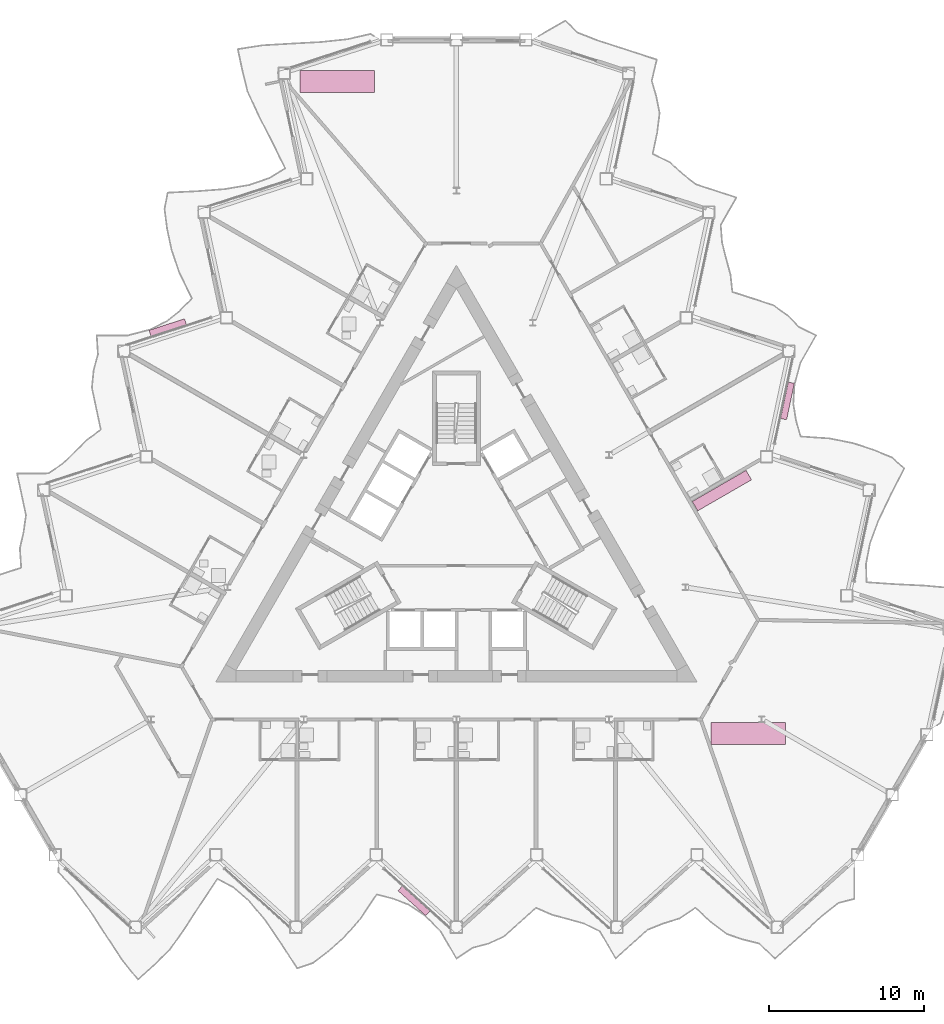
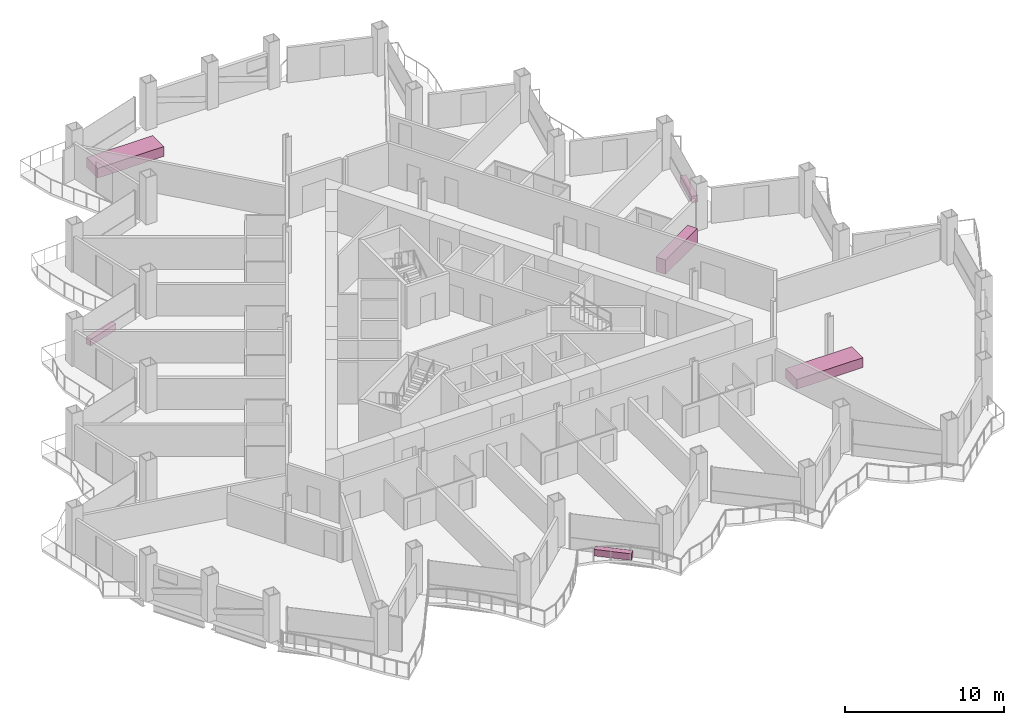
# One storey, part 23 of 23: 6 furniture elements.
"""IFC4 building model written with IfcOpenShell, lengths in metres."""

from ifc_helpers import new_model, si_unit, direction, frame, origin, origin_2d, place, context, subcontext, project, spatial, rectangle, extrude, material, type_object, element, save


model = new_model("IFC4")

# Units and contexts
model_context = context("Model", 3, precision=1e-05, world=origin(), true_north=direction((0.0, 1.0)))
body_context = subcontext(model_context, "Body", "Model", "MODEL_VIEW")
ifc_project = project(units=[si_unit("LENGTHUNIT", "METRE"), si_unit("AREAUNIT", "SQUARE_METRE"), si_unit("VOLUMEUNIT", "CUBIC_METRE"), si_unit("PLANEANGLEUNIT", "RADIAN"), si_unit("MASSUNIT", "GRAM", prefix="KILO")], contexts=[model_context])

# Site, building, storey
site_placement = place(None, origin())
site = spatial("IfcSite", under=ifc_project, at=site_placement, CompositionType="ELEMENT")
building_placement = place(site_placement, origin())
building = spatial("IfcBuilding", under=site, at=building_placement, Name="Cormorant Prow Tower", CompositionType="ELEMENT")
storey_placement = place(building_placement, frame((0.0, 0.0, 180.0)))
storey = spatial("IfcBuildingStorey", under=building, at=storey_placement, Name="L38", CompositionType="ELEMENT", Elevation=180.0)

# Furniture
ifc_material_1 = material(Name="Terracotta", Category="masonry")
furniture_type_1 = type_object("IfcFurnitureType", Name="Balcony planter 2400x400x500", AssemblyPlace="NOTDEFINED", PredefinedType="USERDEFINED", material=ifc_material_1)
for number, where, z_axis, x_axis, name in (
    (1, (-2.73095703125, -23.03564453125, 0.0), (0.0, 0.0, 1.0), (0.743144845716, -0.669130583881, 0.0), "Balcony planter S04"),
    (2, (21.31494140625, 9.15283203125, 0.0), (0.0, 0.0, 1.0), (0.207911763151, 0.978147585359, 0.0), "Balcony planter ENE04"),
    (3, (-18.583984375, 13.8828125, 0.0), (0.0, 0.0, 1.0), (-0.951056498556, -0.309017048969, 0.0), "Balcony planter WNW04"),
):
    element("IfcFurniture", number, at=place(storey_placement, frame(where, z_axis=z_axis, x_axis=x_axis)), inside=storey, type_object=furniture_type_1, Name=name, ObjectType="PLANTER", PredefinedType="USERDEFINED", context=body_context, shape_type="SweptSolid", body=[
        extrude(rectangle(XDim=2.39990234375, YDim=0.39990234375, at=origin_2d()), origin(), (0.0, 0.0, 1.0), 0.5),
    ])
ifc_material_2 = material(Name="Timber joinery", Category="wood")
furniture_type_2 = type_object("IfcFurnitureType", Name="Bar counter 4000x700", AssemblyPlace="NOTDEFINED", PredefinedType="NOTDEFINED", material=ifc_material_2)
furniture_placement = place(storey_placement, frame((17.09521484375, 3.378173828125, 0.0), z_axis=(0.0, 0.0, 1.0), x_axis=(0.866025403784, 0.5, 0.0)))
element("IfcFurniture", 4, at=furniture_placement, inside=storey, type_object=furniture_type_2, Name="Bar counter", PredefinedType="NOTDEFINED", context=body_context, shape_type="SweptSolid", body=[
    extrude(rectangle(XDim=4.0, YDim=0.699951171875, at=origin_2d()), origin(), (0.0, 0.0, 1.0), 1.10009765625),
])
ifc_material_3 = material(Name="Timber joinery", Category="wood")
furniture_type_3 = type_object("IfcFurnitureType", Name="Conference table 4800x1400", AssemblyPlace="NOTDEFINED", PredefinedType="TABLE", material=ifc_material_3)
for number, where, z_axis, x_axis, name in (
    (5, (18.784912109375, -12.25341796875, 0.0), (0.0, 0.0, 1.0), (1.0, 0.0, 0.0), "Conference table"),
    (6, (-7.684326171875, 29.7275390625, 0.0), (0.0, 0.0, 1.0), (1.0, 0.0, 0.0), "Conference table"),
):
    element("IfcFurniture", number, at=place(storey_placement, frame(where, z_axis=z_axis, x_axis=x_axis)), inside=storey, type_object=furniture_type_3, Name=name, PredefinedType="TABLE", context=body_context, shape_type="SweptSolid", body=[
        extrude(rectangle(XDim=4.800048828125, YDim=1.39990234375, at=origin_2d()), origin(), (0.0, 0.0, 1.0), 0.75),
    ])

save(model, "model.ifc")
